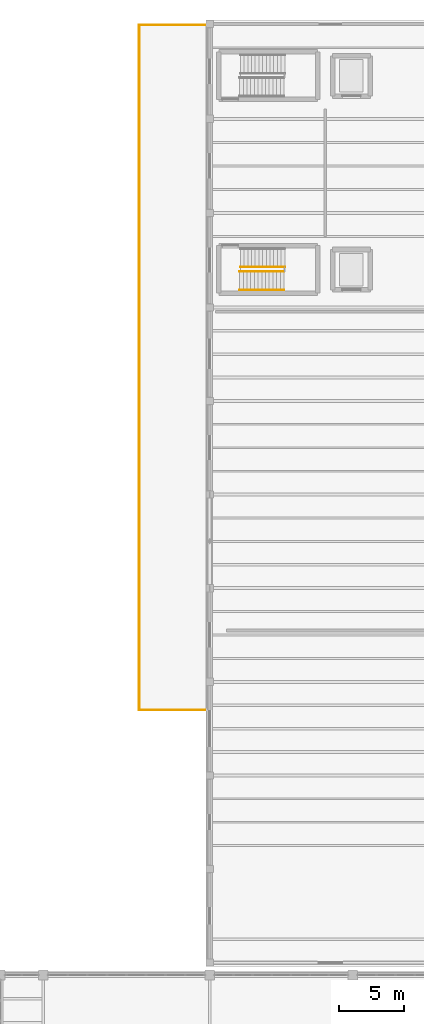
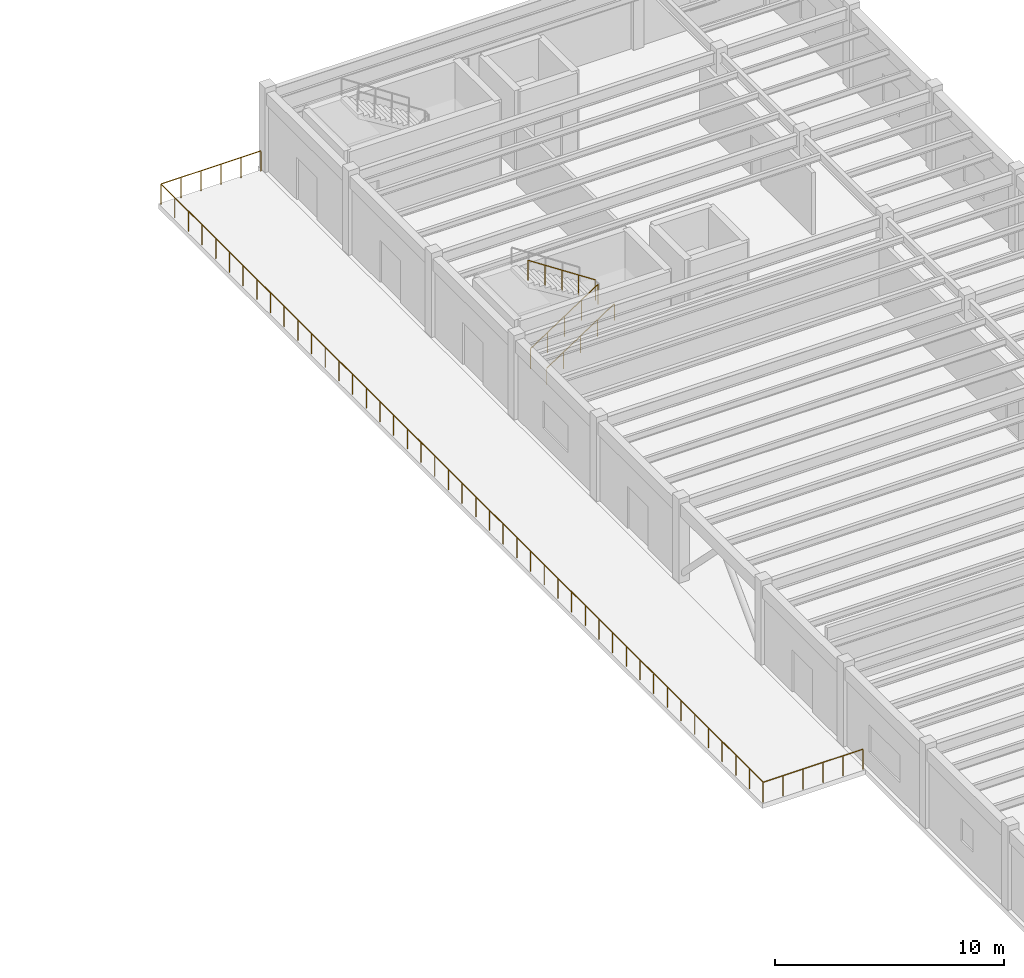
# One storey, part 83 of 85: 4 railings.
"""IFC4 building model written with IfcOpenShell, lengths in metres."""

from ifc_helpers import new_model, si_unit, direction, frame, origin, origin_2d, place, context, subcontext, project, spatial, circle, extrude, material, type_object, element, save


model = new_model("IFC4")

# Units and contexts
model_context = context("Model", 3, precision=1e-05, world=origin(), true_north=direction((0.0, 1.0)))
body_context = subcontext(model_context, "Body", "Model", "MODEL_VIEW")
ifc_project = project(units=[si_unit("LENGTHUNIT", "METRE"), si_unit("AREAUNIT", "SQUARE_METRE"), si_unit("VOLUMEUNIT", "CUBIC_METRE"), si_unit("PLANEANGLEUNIT", "RADIAN"), si_unit("MASSUNIT", "GRAM", prefix="KILO")], contexts=[model_context])

# Site, building, storey
site_placement = place(None, origin())
site = spatial("IfcSite", under=ifc_project, at=site_placement, CompositionType="ELEMENT")
building_placement = place(site_placement, origin())
building = spatial("IfcBuilding", under=site, at=building_placement, Name="Candilejo Ridge Gondola Terminal", CompositionType="ELEMENT")
storey_placement = place(building_placement, frame((0.0, 0.0, 4.5)))
storey = spatial("IfcBuildingStorey", under=building, at=storey_placement, Name="L01", CompositionType="ELEMENT", Elevation=4.5)

# Railings
ifc_material_1 = material(Name="Hot-dip galvanised steel ASTM A500 Grade B", Category="steel")
railing_type_1 = type_object("IfcRailingType", Name="ARC-GUARD-BALUSTRADE-1150", PredefinedType="BALUSTRADE", material=ifc_material_1)
railing_1_placement = place(storey_placement, frame((149.6201171875, 68.080078125, 0.0)))
element("IfcRailing", 1, at=railing_1_placement, inside=storey, type_object=railing_type_1, Name="Rock-bench terrace balustrade L01", PredefinedType="BALUSTRADE", context=body_context, shape_type="SweptSolid", body=[
    extrude(circle(Radius=0.02392578125, at=origin_2d()), frame((0.0, 0.0, 1.076171875), z_axis=(-1.0, 0.0, 0.0), x_axis=(0.0, -1.0, 0.0)), (0.0, 0.0, 1.0), 5.0400390625),
    extrude(circle(Radius=0.02392578125, at=origin_2d()), frame((-5.0400390625, 0.0, 1.076171875), z_axis=(0.0, 1.0, 0.0), x_axis=(-1.0, 0.0, 0.0)), (0.0, 0.0, 1.0), 52.68994140625),
    extrude(circle(Radius=0.02392578125, at=origin_2d()), frame((-5.0400390625, 52.68994140625, 1.076171875), z_axis=(1.0, 0.0, 0.0), x_axis=(0.0, 1.0, 0.0)), (0.0, 0.0, 1.0), 5.0400390625),
    extrude(circle(Radius=0.02099609375, at=origin_2d()), origin(), (0.0, 0.0, 1.0), 1.052001953125),
    extrude(circle(Radius=0.02099609375, at=origin_2d()), frame((-1.008056640625, 0.0, 0.0)), (0.0, 0.0, 1.0), 1.052001953125),
    extrude(circle(Radius=0.02099609375, at=origin_2d()), frame((-2.01611328125, 0.0, 0.0)), (0.0, 0.0, 1.0), 1.052001953125),
    extrude(circle(Radius=0.02099609375, at=origin_2d()), frame((-3.02392578125, 0.0, 0.0)), (0.0, 0.0, 1.0), 1.052001953125),
    extrude(circle(Radius=0.02099609375, at=origin_2d()), frame((-4.031982421875, 0.0, 0.0)), (0.0, 0.0, 1.0), 1.052001953125),
    extrude(circle(Radius=0.02099609375, at=origin_2d()), frame((-5.0400390625, 0.0, 0.0)), (0.0, 0.0, 1.0), 1.052001953125),
    extrude(circle(Radius=0.02099609375, at=origin_2d()), frame((-5.0400390625, 1.197509765625, 0.0)), (0.0, 0.0, 1.0), 1.052001953125),
    extrude(circle(Radius=0.02099609375, at=origin_2d()), frame((-5.0400390625, 2.39501953125, 0.0)), (0.0, 0.0, 1.0), 1.052001953125),
    extrude(circle(Radius=0.02099609375, at=origin_2d()), frame((-5.0400390625, 3.592529296875, 0.0)), (0.0, 0.0, 1.0), 1.052001953125),
    extrude(circle(Radius=0.02099609375, at=origin_2d()), frame((-5.0400390625, 4.7900390625, 0.0)), (0.0, 0.0, 1.0), 1.052001953125),
    extrude(circle(Radius=0.02099609375, at=origin_2d()), frame((-5.0400390625, 5.987548828125, 0.0)), (0.0, 0.0, 1.0), 1.052001953125),
    extrude(circle(Radius=0.02099609375, at=origin_2d()), frame((-5.0400390625, 7.18505859375, 0.0)), (0.0, 0.0, 1.0), 1.052001953125),
    extrude(circle(Radius=0.02099609375, at=origin_2d()), frame((-5.0400390625, 8.382568359375, 0.0)), (0.0, 0.0, 1.0), 1.052001953125),
    extrude(circle(Radius=0.02099609375, at=origin_2d()), frame((-5.0400390625, 9.580078125, 0.0)), (0.0, 0.0, 1.0), 1.052001953125),
    extrude(circle(Radius=0.02099609375, at=origin_2d()), frame((-5.0400390625, 10.777587890625, 0.0)), (0.0, 0.0, 1.0), 1.052001953125),
    extrude(circle(Radius=0.02099609375, at=origin_2d()), frame((-5.0400390625, 11.97509765625, 0.0)), (0.0, 0.0, 1.0), 1.052001953125),
    extrude(circle(Radius=0.02099609375, at=origin_2d()), frame((-5.0400390625, 13.17236328125, 0.0)), (0.0, 0.0, 1.0), 1.052001953125),
    extrude(circle(Radius=0.02099609375, at=origin_2d()), frame((-5.0400390625, 14.369873046875, 0.0)), (0.0, 0.0, 1.0), 1.052001953125),
    extrude(circle(Radius=0.02099609375, at=origin_2d()), frame((-5.0400390625, 15.5673828125, 0.0)), (0.0, 0.0, 1.0), 1.052001953125),
    extrude(circle(Radius=0.02099609375, at=origin_2d()), frame((-5.0400390625, 16.764892578125, 0.0)), (0.0, 0.0, 1.0), 1.052001953125),
    extrude(circle(Radius=0.02099609375, at=origin_2d()), frame((-5.0400390625, 17.96240234375, 0.0)), (0.0, 0.0, 1.0), 1.052001953125),
    extrude(circle(Radius=0.02099609375, at=origin_2d()), frame((-5.0400390625, 19.159912109375, 0.0)), (0.0, 0.0, 1.0), 1.052001953125),
    extrude(circle(Radius=0.02099609375, at=origin_2d()), frame((-5.0400390625, 20.357421875, 0.0)), (0.0, 0.0, 1.0), 1.052001953125),
    extrude(circle(Radius=0.02099609375, at=origin_2d()), frame((-5.0400390625, 21.554931640625, 0.0)), (0.0, 0.0, 1.0), 1.052001953125),
    extrude(circle(Radius=0.02099609375, at=origin_2d()), frame((-5.0400390625, 22.75244140625, 0.0)), (0.0, 0.0, 1.0), 1.052001953125),
    extrude(circle(Radius=0.02099609375, at=origin_2d()), frame((-5.0400390625, 23.949951171875, 0.0)), (0.0, 0.0, 1.0), 1.052001953125),
    extrude(circle(Radius=0.02099609375, at=origin_2d()), frame((-5.0400390625, 25.1474609375, 0.0)), (0.0, 0.0, 1.0), 1.052001953125),
    extrude(circle(Radius=0.02099609375, at=origin_2d()), frame((-5.0400390625, 26.344970703125, 0.0)), (0.0, 0.0, 1.0), 1.052001953125),
    extrude(circle(Radius=0.02099609375, at=origin_2d()), frame((-5.0400390625, 27.54248046875, 0.0)), (0.0, 0.0, 1.0), 1.052001953125),
    extrude(circle(Radius=0.02099609375, at=origin_2d()), frame((-5.0400390625, 28.739990234375, 0.0)), (0.0, 0.0, 1.0), 1.052001953125),
    extrude(circle(Radius=0.02099609375, at=origin_2d()), frame((-5.0400390625, 29.9375, 0.0)), (0.0, 0.0, 1.0), 1.052001953125),
    extrude(circle(Radius=0.02099609375, at=origin_2d()), frame((-5.0400390625, 31.135009765625, 0.0)), (0.0, 0.0, 1.0), 1.052001953125),
    extrude(circle(Radius=0.02099609375, at=origin_2d()), frame((-5.0400390625, 32.33251953125, 0.0)), (0.0, 0.0, 1.0), 1.052001953125),
    extrude(circle(Radius=0.02099609375, at=origin_2d()), frame((-5.0400390625, 33.530029296875, 0.0)), (0.0, 0.0, 1.0), 1.052001953125),
    extrude(circle(Radius=0.02099609375, at=origin_2d()), frame((-5.0400390625, 34.7275390625, 0.0)), (0.0, 0.0, 1.0), 1.052001953125),
    extrude(circle(Radius=0.02099609375, at=origin_2d()), frame((-5.0400390625, 35.925048828125, 0.0)), (0.0, 0.0, 1.0), 1.052001953125),
    extrude(circle(Radius=0.02099609375, at=origin_2d()), frame((-5.0400390625, 37.12255859375, 0.0)), (0.0, 0.0, 1.0), 1.052001953125),
    extrude(circle(Radius=0.02099609375, at=origin_2d()), frame((-5.0400390625, 38.320068359375, 0.0)), (0.0, 0.0, 1.0), 1.052001953125),
    extrude(circle(Radius=0.02099609375, at=origin_2d()), frame((-5.0400390625, 39.517578125, 0.0)), (0.0, 0.0, 1.0), 1.052001953125),
    extrude(circle(Radius=0.02099609375, at=origin_2d()), frame((-5.0400390625, 40.71484375, 0.0)), (0.0, 0.0, 1.0), 1.052001953125),
    extrude(circle(Radius=0.02099609375, at=origin_2d()), frame((-5.0400390625, 41.912353515625, 0.0)), (0.0, 0.0, 1.0), 1.052001953125),
    extrude(circle(Radius=0.02099609375, at=origin_2d()), frame((-5.0400390625, 43.10986328125, 0.0)), (0.0, 0.0, 1.0), 1.052001953125),
    extrude(circle(Radius=0.02099609375, at=origin_2d()), frame((-5.0400390625, 44.307373046875, 0.0)), (0.0, 0.0, 1.0), 1.052001953125),
    extrude(circle(Radius=0.02099609375, at=origin_2d()), frame((-5.0400390625, 45.5048828125, 0.0)), (0.0, 0.0, 1.0), 1.052001953125),
    extrude(circle(Radius=0.02099609375, at=origin_2d()), frame((-5.0400390625, 46.702392578125, 0.0)), (0.0, 0.0, 1.0), 1.052001953125),
    extrude(circle(Radius=0.02099609375, at=origin_2d()), frame((-5.0400390625, 47.89990234375, 0.0)), (0.0, 0.0, 1.0), 1.052001953125),
    extrude(circle(Radius=0.02099609375, at=origin_2d()), frame((-5.0400390625, 49.097412109375, 0.0)), (0.0, 0.0, 1.0), 1.052001953125),
    extrude(circle(Radius=0.02099609375, at=origin_2d()), frame((-5.0400390625, 50.294921875, 0.0)), (0.0, 0.0, 1.0), 1.052001953125),
    extrude(circle(Radius=0.02099609375, at=origin_2d()), frame((-5.0400390625, 51.492431640625, 0.0)), (0.0, 0.0, 1.0), 1.052001953125),
    extrude(circle(Radius=0.02099609375, at=origin_2d()), frame((-5.0400390625, 52.68994140625, 0.0)), (0.0, 0.0, 1.0), 1.052001953125),
    extrude(circle(Radius=0.02099609375, at=origin_2d()), frame((-4.031982421875, 52.68994140625, 0.0)), (0.0, 0.0, 1.0), 1.052001953125),
    extrude(circle(Radius=0.02099609375, at=origin_2d()), frame((-3.02392578125, 52.68994140625, 0.0)), (0.0, 0.0, 1.0), 1.052001953125),
    extrude(circle(Radius=0.02099609375, at=origin_2d()), frame((-2.01611328125, 52.68994140625, 0.0)), (0.0, 0.0, 1.0), 1.052001953125),
    extrude(circle(Radius=0.02099609375, at=origin_2d()), frame((-1.008056640625, 52.68994140625, 0.0)), (0.0, 0.0, 1.0), 1.052001953125),
    extrude(circle(Radius=0.02099609375, at=origin_2d()), frame((0.0, 52.68994140625, 0.0)), (0.0, 0.0, 1.0), 1.052001953125),
])
ifc_material_2 = material(Name="Hot-dip galvanised steel ASTM A500 Grade B", Category="steel")
railing_type_2 = type_object("IfcRailingType", Name="ARC-STAIR-GUARD-1100", PredefinedType="GUARDRAIL", material=ifc_material_2)
railing_2_placement = place(storey_placement, frame((152.300048828125, 101.81005859375, 0.0)))
element("IfcRailing", 2, at=railing_2_placement, inside=storey, type_object=railing_type_2, Name="Flight well guard ST-V5A-F01", PredefinedType="GUARDRAIL", context=body_context, shape_type="SweptSolid", body=[
    extrude(circle(Radius=0.02392578125, at=origin_2d()), frame((0.0, 0.0, 1.076171875), z_axis=(0.835411317272, 0.0, 0.549625264133), x_axis=(0.0, 1.0, 0.0)), (0.0, 0.0, 1.0), 4.09375),
    extrude(circle(Radius=0.02099609375, at=origin_2d()), origin(), (0.0, 0.0, 1.0), 1.052001953125),
    extrude(circle(Radius=0.02099609375, at=origin_2d()), frame((0.85498046875, 0.0, 0.5625)), (0.0, 0.0, 1.0), 1.052001953125),
    extrude(circle(Radius=0.02099609375, at=origin_2d()), frame((1.7099609375, 0.0, 1.125)), (0.0, 0.0, 1.0), 1.052001953125),
    extrude(circle(Radius=0.02099609375, at=origin_2d()), frame((2.56494140625, 0.0, 1.6875)), (0.0, 0.0, 1.0), 1.052001953125),
    extrude(circle(Radius=0.02099609375, at=origin_2d()), frame((3.419921875, 0.0, 2.25)), (0.0, 0.0, 1.0), 1.052001953125),
])
railing_3_placement = place(storey_placement, frame((155.780029296875, 102.139892578125, 2.25)))
element("IfcRailing", 3, at=railing_3_placement, inside=storey, type_object=railing_type_2, Name="Flight well guard ST-V5A-F02", PredefinedType="GUARDRAIL", context=body_context, shape_type="SweptSolid", body=[
    extrude(circle(Radius=0.02392578125, at=origin_2d()), frame((0.0, 0.0, 1.076171875), z_axis=(-0.835411317272, 0.0, 0.549625264133), x_axis=(0.0, -1.0, 0.0)), (0.0, 0.0, 1.0), 4.09375),
    extrude(circle(Radius=0.02099609375, at=origin_2d()), origin(), (0.0, 0.0, 1.0), 1.052001953125),
    extrude(circle(Radius=0.02099609375, at=origin_2d()), frame((-0.85498046875, 0.0, 0.5625)), (0.0, 0.0, 1.0), 1.052001953125),
    extrude(circle(Radius=0.02099609375, at=origin_2d()), frame((-1.7099609375, 0.0, 1.125)), (0.0, 0.0, 1.0), 1.052001953125),
    extrude(circle(Radius=0.02099609375, at=origin_2d()), frame((-2.56494140625, 0.0, 1.6875)), (0.0, 0.0, 1.0), 1.052001953125),
    extrude(circle(Radius=0.02099609375, at=origin_2d()), frame((-3.419921875, 0.0, 2.25)), (0.0, 0.0, 1.0), 1.052001953125),
])
ifc_material_3 = material(Name="Brushed stainless steel AISI 316", Category="steel")
railing_type_3 = type_object("IfcRailingType", Name="ARC-STAIR-HANDRAIL-920", PredefinedType="HANDRAIL", material=ifc_material_3)
railing_4_placement = place(storey_placement, frame((152.300048828125, 100.389892578125, 0.0)))
element("IfcRailing", 4, at=railing_4_placement, inside=storey, type_object=railing_type_3, Name="Wall handrail ST-V5A-F01", PredefinedType="HANDRAIL", context=body_context, shape_type="SweptSolid", body=[
    extrude(circle(Radius=0.02392578125, at=origin_2d()), frame((0.0, 0.0, 0.89599609375), z_axis=(0.835411317272, 0.0, 0.549625264133), x_axis=(0.0, 1.0, 0.0)), (0.0, 0.0, 1.0), 4.09375),
    extrude(circle(Radius=0.02099609375, at=origin_2d()), origin(), (0.0, 0.0, 1.0), 0.871826171875),
    extrude(circle(Radius=0.02099609375, at=origin_2d()), frame((0.85498046875, 0.0, 0.5625)), (0.0, 0.0, 1.0), 0.871826171875),
    extrude(circle(Radius=0.02099609375, at=origin_2d()), frame((1.7099609375, 0.0, 1.125)), (0.0, 0.0, 1.0), 0.871826171875),
    extrude(circle(Radius=0.02099609375, at=origin_2d()), frame((2.56494140625, 0.0, 1.6875)), (0.0, 0.0, 1.0), 0.871826171875),
    extrude(circle(Radius=0.02099609375, at=origin_2d()), frame((3.419921875, 0.0, 2.25)), (0.0, 0.0, 1.0), 0.871826171875),
])

save(model, "model.ifc")
